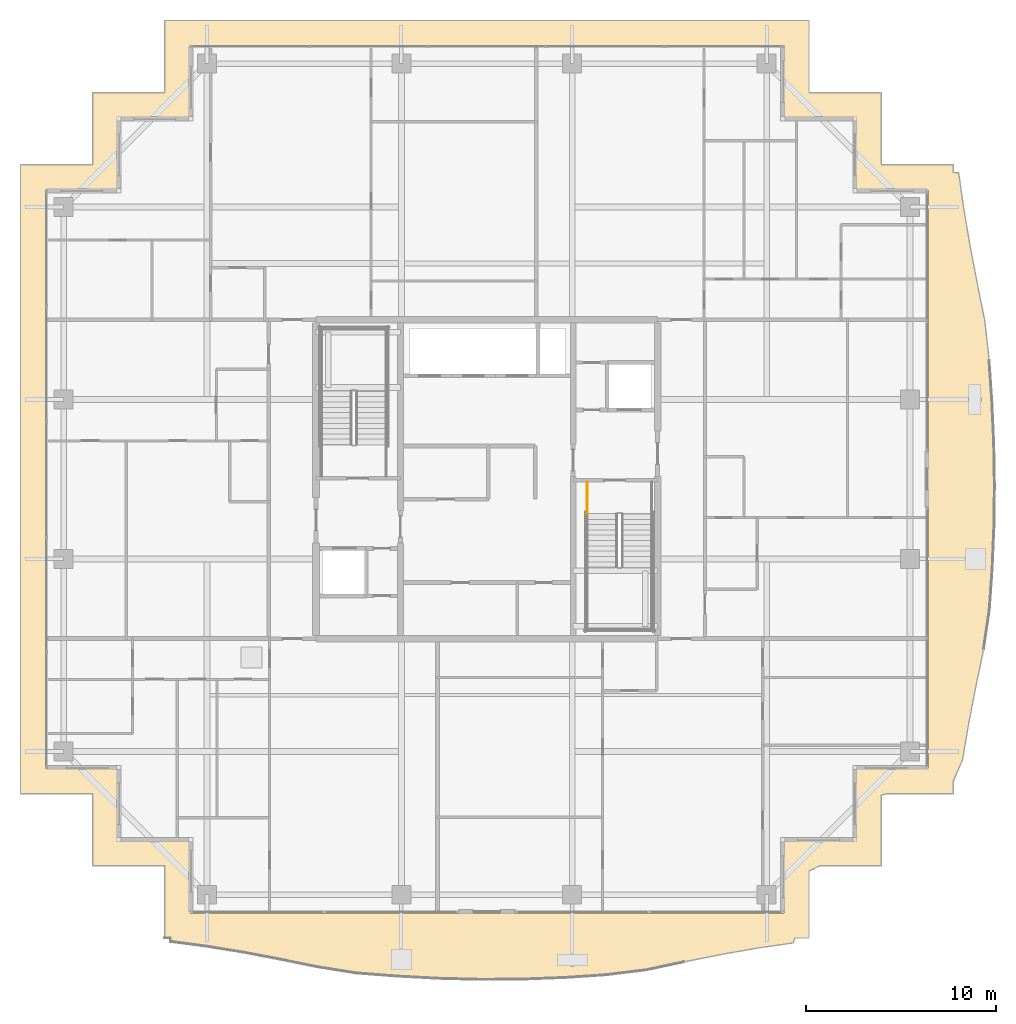
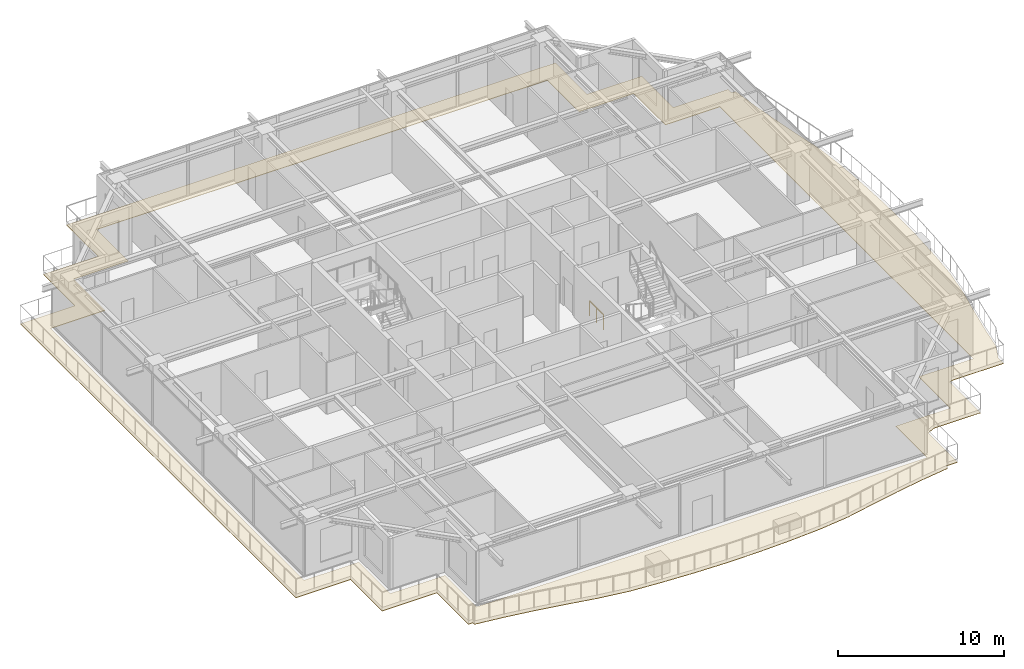
# One storey, part 40 of 42: 1 covering, 1 railing.
"""IFC4 building model written with IfcOpenShell, lengths in metres."""

from ifc_helpers import new_model, si_unit, direction, frame, origin, origin_2d, place, context, subcontext, project, spatial, polyline, circle, outline, extrude, material, layer, layer_set, type_object, element, save


model = new_model("IFC4")

# Units and contexts
model_context = context("Model", 3, precision=1e-05, world=origin(), true_north=direction((0.0, 1.0)))
body_context = subcontext(model_context, "Body", "Model", "MODEL_VIEW")
ifc_project = project(units=[si_unit("LENGTHUNIT", "METRE"), si_unit("AREAUNIT", "SQUARE_METRE"), si_unit("VOLUMEUNIT", "CUBIC_METRE"), si_unit("PLANEANGLEUNIT", "RADIAN"), si_unit("MASSUNIT", "GRAM", prefix="KILO")], contexts=[model_context])

# Site, building, storey
site_placement = place(None, origin())
site = spatial("IfcSite", under=ifc_project, at=site_placement, CompositionType="ELEMENT")
building_placement = place(site_placement, origin())
building = spatial("IfcBuilding", under=site, at=building_placement, Name="Serunith Strait Residences", CompositionType="ELEMENT")
storey_placement = place(building_placement, frame((0.0, 0.0, 293.449951171875)))
storey = spatial("IfcBuildingStorey", under=building, at=storey_placement, Name="L73", CompositionType="ELEMENT", Elevation=293.449951171875)

# Covering
ifc_material_1 = material(Name="Golden Teak Exterior Timber Boarding", Category="wood")
ifc_layer = layer(ifc_material_1, 0.034912109375, Name="Golden Teak Exterior Timber Boarding")
ifc_layer_set = layer_set([ifc_layer], Name="Golden Teak Exterior Timber Boarding")
covering_type = type_object("IfcCoveringType", Name="COV-TEAK-SOFFIT", PredefinedType="CEILING", material=ifc_layer_set)
covering_placement = place(storey_placement, frame((0.0, 0.0, -0.324951171875)))
element("IfcCovering", 1, at=covering_placement, inside=storey, type_object=covering_type, Name="L73 Golden-Teak Balcony Soffit Lining", PredefinedType="CEILING", context=body_context, shape_type="SweptSolid", body=[
    extrude(outline(polyline([(15.419921875, 1.02001953125), (15.419921875, 4.820068359375), (11.6201171875, 4.820068359375), (11.6201171875, 8.6201171875), (7.820068359375, 8.6201171875), (7.820068359375, 41.780029296875), (11.6201171875, 41.780029296875), (11.6201171875, 45.580078125), (15.407470703125, 45.580078125), (15.419921875, 45.584716796875), (15.419921875, 49.3798828125), (49.3798828125, 49.3798828125), (49.3798828125, 45.580078125), (53.179931640625, 45.580078125), (53.179931640625, 41.921142578125), (53.201171875, 41.780029296875), (56.97998046875, 41.780029296875), (56.97998046875, 41.367919921875), (57.2685546875, 41.350341796875), (57.53759765625, 39.4482421875), (57.862548828125, 37.52880859375), (58.2373046875, 35.57568359375), (58.64208984375, 33.5703125), (58.87841796875, 31.458251953125), (59.02587890625, 29.293212890625), (59.125, 27.1005859375), (59.163330078125, 24.892333984375), (59.134765625, 22.68408203125), (59.040771484375, 20.491943359375), (58.89111328125, 18.329833984375), (58.584228515625, 16.24609375), (58.17138671875, 14.25830078125), (57.794189453125, 12.3203125), (57.4716796875, 10.41259765625), (56.97998046875, 9.27587890625), (56.97998046875, 8.6201171875), (53.48193359375, 8.6201171875), (53.179931640625, 8.544677734375), (53.179931640625, 4.820068359375), (49.9423828125, 4.820068359375), (49.3798828125, 4.554931640625), (49.3798828125, 1.02001953125), (48.63330078125, 1.02001953125), (48.548583984375, 0.7626953125), (46.653076171875, 0.4873046875), (44.741455078125, 0.15087890625), (42.795654296875, -0.240478515625), (40.794677734375, -0.664794921875), (38.682861328125, -0.924560546875), (36.509521484375, -1.069580078125), (34.30712890625, -1.154296875), (32.091552734375, -1.16943359375), (29.880126953125, -1.1142578125), (27.689208984375, -0.996826171875), (25.530517578125, -0.83154296875), (23.455810546875, -0.50537109375), (21.47119140625, -0.09716796875), (19.533935546875, 0.26953125), (17.624267578125, 0.57958984375), (15.7265625, 0.831298828125), (15.72802734375, 1.02001953125), (15.419921875, 1.02001953125)]), holes=[polyline([(48.054931640625, 2.344970703125), (48.054931640625, 6.14501953125), (51.85498046875, 6.14501953125), (51.85498046875, 9.945068359375), (55.655029296875, 9.945068359375), (55.655029296875, 40.455078125), (51.85498046875, 40.455078125), (51.85498046875, 44.2548828125), (48.054931640625, 44.2548828125), (48.054931640625, 48.054931640625), (16.7451171875, 48.054931640625), (16.7451171875, 44.2548828125), (12.945068359375, 44.2548828125), (12.945068359375, 40.455078125), (9.14501953125, 40.455078125), (9.14501953125, 9.945068359375), (12.945068359375, 9.945068359375), (12.945068359375, 6.14501953125), (16.7451171875, 6.14501953125), (16.7451171875, 2.344970703125), (48.054931640625, 2.344970703125)])]), origin(), (0.0, 0.0, 1.0), 0.034912109375),
])

# Railing
ifc_material_2 = material(Name="Brushed stainless steel 316L", Category="steel")
railing_type = type_object("IfcRailingType", Name="RLG-STAIR-GUARD", PredefinedType="BALUSTRADE", material=ifc_material_2)
railing_placement = place(storey_placement, frame((37.699951171875, 25.050048828125, 0.0)))
element("IfcRailing", 2, at=railing_placement, inside=storey, type_object=railing_type, Name="L73 ST-2 stair guard 8", PredefinedType="BALUSTRADE", context=body_context, shape_type="SweptSolid", body=[
    extrude(circle(Radius=0.02392578125, at=origin_2d()), frame((0.0, -0.001953125, 1.076171875), z_axis=(0.0, -1.0, 0.0), x_axis=(1.0, 0.0, 0.0)), (0.0, 0.0, 1.0), 1.676025390625),
    extrude(circle(Radius=0.02099609375, at=origin_2d()), origin(), (0.0, 0.0, 1.0), 1.050048828125),
    extrude(circle(Radius=0.02099609375, at=origin_2d()), frame((0.0, -0.83984375, 0.0)), (0.0, 0.0, 1.0), 1.050048828125),
    extrude(circle(Radius=0.02099609375, at=origin_2d()), frame((0.0, -1.679931640625, 0.0)), (0.0, 0.0, 1.0), 1.050048828125),
])

save(model, "model.ifc")
